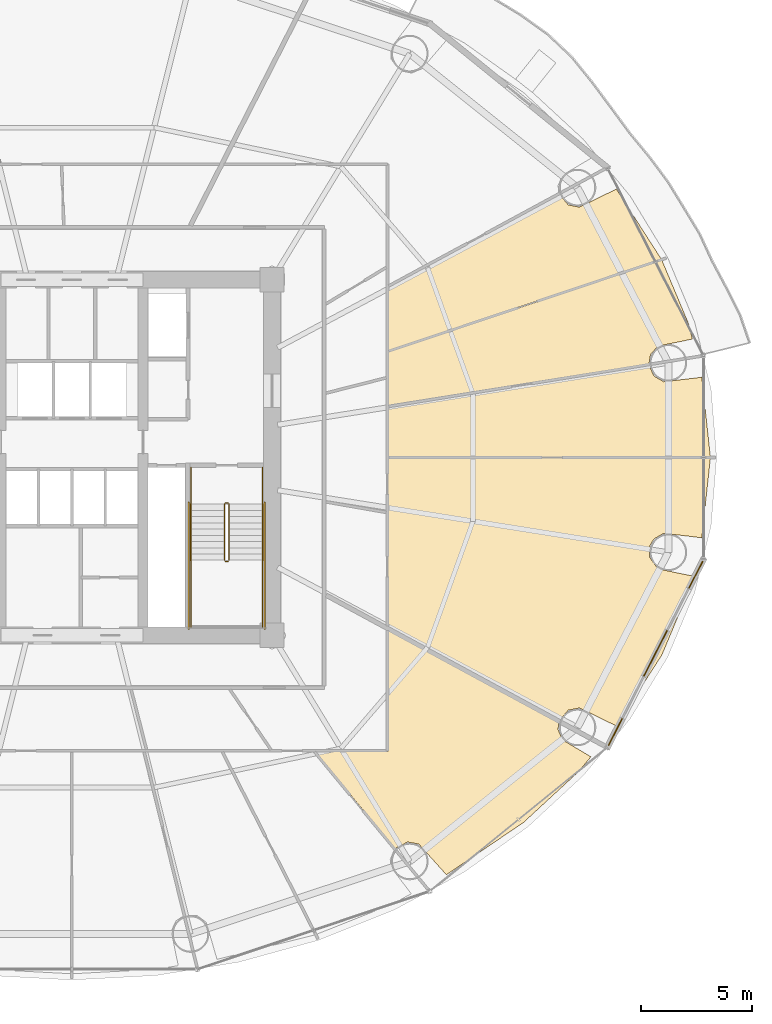
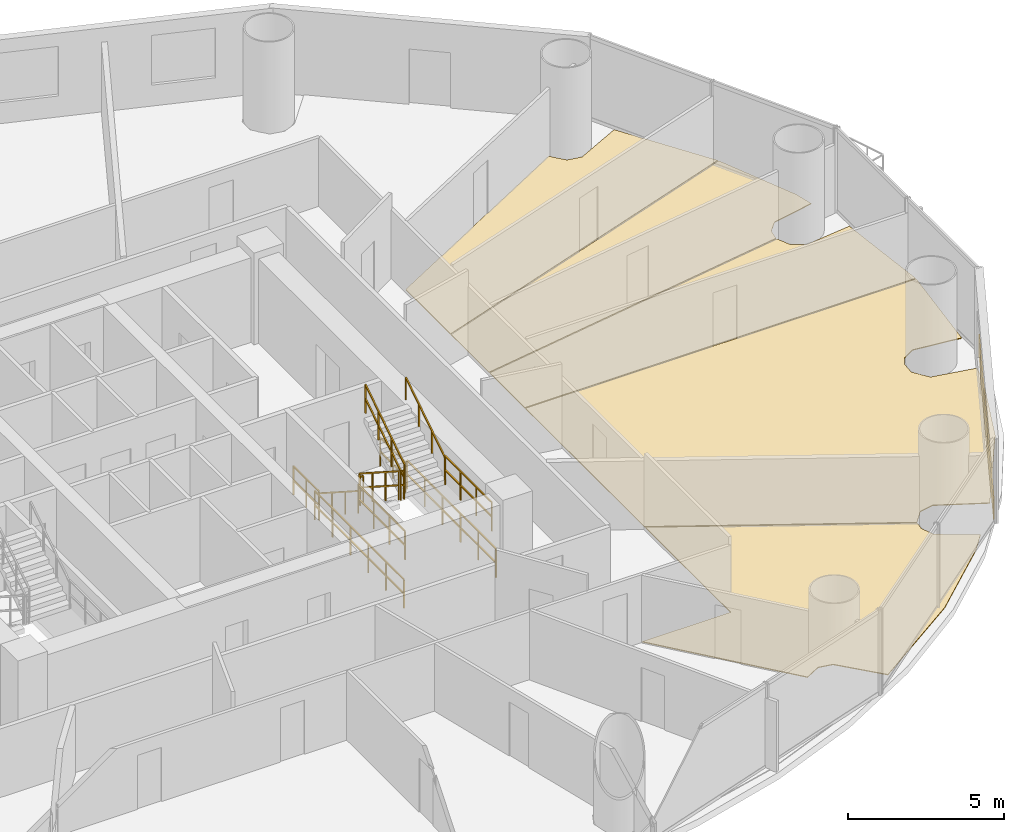
# One storey, part 28 of 29: 12 railings, 6 coverings.
"""IFC4 building model written with IfcOpenShell, lengths in metres."""

from ifc_helpers import new_model, si_unit, direction, frame, origin, origin_2d, place, context, subcontext, project, spatial, polyline, rectangle, outline, extrude, source, transform, mapped, material, layer, layer_set, type_object, element, save


model = new_model("IFC4")

# Units and contexts
model_context = context("Model", 3, precision=1e-05, world=origin(), true_north=direction((-0.2419218956, 0.970295726276)))
body_context = subcontext(model_context, "Body", "Model", "MODEL_VIEW")
ifc_project = project(units=[si_unit("LENGTHUNIT", "METRE"), si_unit("AREAUNIT", "SQUARE_METRE"), si_unit("VOLUMEUNIT", "CUBIC_METRE"), si_unit("PLANEANGLEUNIT", "RADIAN"), si_unit("MASSUNIT", "GRAM", prefix="KILO")], contexts=[model_context])

# Site, building, storey
site_placement = place(None, origin())
site = spatial("IfcSite", under=ifc_project, at=site_placement, CompositionType="ELEMENT")
building_placement = place(site_placement, origin())
building = spatial("IfcBuilding", under=site, at=building_placement, Name="Cobrevalo Terracotta Tower", CompositionType="ELEMENT")
storey_placement = place(building_placement, frame((0.0, 0.0, 49.199951171875)))
storey = spatial("IfcBuildingStorey", under=building, at=storey_placement, Name="L12", CompositionType="ELEMENT", Elevation=49.199951171875)

# Coverings
ifc_material_1 = material(Name="Engineered Brazilian hardwood flooring", Category="wood")
ifc_layer_1 = layer(ifc_material_1, 0.028076171875)
ifc_layer_set_1 = layer_set([ifc_layer_1], Name="Engineered Brazilian hardwood flooring")
covering_type_1 = type_object("IfcCoveringType", Name="Engineered Hardwood Suite Flooring 28", PredefinedType="FLOORING", material=ifc_layer_set_1)
covering_1_placement = place(storey_placement, origin())
element("IfcCovering", 1, at=covering_1_placement, inside=storey, type_object=covering_type_1, Name="Flat L12A Penthouse Living and Dining Room floor finish", PredefinedType="FLOORING", context=body_context, shape_type="SweptSolid", body=[
    extrude(outline(polyline([(62.488037109375, 14.7255859375), (60.826416015625, 15.53662109375), (60.325439453125, 15.436767578125), (59.915283203125, 14.95654296875), (52.215087890625, 19.1259765625), (52.215087890625, 26.780029296875), (66.71826171875, 26.780029296875), (66.331298828125, 23.18896484375), (64.619384765625, 23.39306640625), (64.178466796875, 23.135009765625), (63.9990234375, 22.84228515625), (63.968505859375, 22.332275390625), (64.3642578125, 21.787109375), (65.909423828125, 21.473876953125), (65.74169921875, 20.791259765625), (64.534423828125, 17.91552734375), (62.488037109375, 14.7255859375)])), origin(), (0.0, 0.0, 1.0), 0.030029296875),
])
covering_2_placement = place(storey_placement, origin())
element("IfcCovering", 2, at=covering_2_placement, inside=storey, type_object=covering_type_1, Name="Flat L12A Master Bedroom floor finish", PredefinedType="FLOORING", context=body_context, shape_type="SweptSolid", body=[
    extrude(outline(polyline([(63.952880859375, 30.963134765625), (64.178466796875, 30.465087890625), (64.619384765625, 30.206787109375), (66.331298828125, 30.4111328125), (66.71826171875, 26.820068359375), (52.215087890625, 26.820068359375), (52.215087890625, 29.071044921875), (63.952880859375, 30.963134765625)])), origin(), (0.0, 0.0, 1.0), 0.030029296875),
])
covering_3_placement = place(storey_placement, origin())
element("IfcCovering", 3, at=covering_3_placement, inside=storey, type_object=covering_type_1, Name="Flat L12A Principal Guest Bedroom floor finish", PredefinedType="FLOORING", context=body_context, shape_type="SweptSolid", body=[
    extrude(outline(polyline([(64.531494140625, 35.684326171875), (65.74169921875, 32.80859375), (65.909423828125, 32.126220703125), (64.3642578125, 31.81298828125), (64.025146484375, 31.4306640625), (63.95068359375, 31.003173828125), (52.215087890625, 29.111572265625), (52.215087890625, 31.55029296875), (64.531494140625, 35.684326171875)])), origin(), (0.0, 0.0, 1.0), 0.030029296875),
])
covering_4_placement = place(storey_placement, origin())
element("IfcCovering", 4, at=covering_4_placement, inside=storey, type_object=covering_type_1, Name="Flat L12A Principal Guest Bedroom floor finish", PredefinedType="FLOORING", context=body_context, shape_type="SweptSolid", body=[
    extrude(outline(polyline([(59.915283203125, 38.643310546875), (60.325439453125, 38.163330078125), (60.826416015625, 38.063232421875), (62.488037109375, 38.87451171875), (64.5126953125, 35.72021484375), (52.215087890625, 31.592529296875), (52.215087890625, 34.47412109375), (59.915283203125, 38.643310546875)])), origin(), (0.0, 0.0, 1.0), 0.030029296875),
])
covering_5_placement = place(storey_placement, origin())
element("IfcCovering", 5, at=covering_5_placement, inside=storey, type_object=covering_type_1, Name="Flat L12D Penthouse Family Lounge floor finish", PredefinedType="FLOORING", context=body_context, shape_type="SweptSolid", body=[
    extrude(outline(polyline([(54.843505859375, 8.03271484375), (53.6025390625, 9.412353515625), (53.100341796875, 9.50732421875), (52.531982421875, 9.20751953125), (48.922607421875, 13.5849609375), (52.215087890625, 13.5849609375), (52.215087890625, 19.08056640625), (59.90234375, 14.91796875), (59.864990234375, 14.573974609375), (60.060791015625, 14.10205078125), (61.34423828125, 13.341064453125), (60.786376953125, 12.666259765625), (58.3095703125, 10.38232421875), (54.843505859375, 8.03271484375)])), origin(), (0.0, 0.0, 1.0), 0.030029296875),
])

# Railings
ifc_material_2 = material(Name="Brushed stainless steel", Category="steel")
railing_type_1 = type_object("IfcRailingType", Name="Stainless Steel Stair Handrail 900", PredefinedType="HANDRAIL", material=ifc_material_2)
railing_1_placement = place(storey_placement, frame((43.35498046875, 24.699951171875, 0.179931640625)))
element("IfcRailing", 6, at=railing_1_placement, inside=storey, type_object=railing_type_1, Name="L12 ST-2 stair handrail 1", PredefinedType="HANDRAIL", context=body_context, shape_type="SweptSolid", body=[
    extrude(rectangle(XDim=0.048095703125, YDim=0.048095703125, at=origin_2d()), frame((0.0, 0.0, 0.8759765625), z_axis=(0.0, -0.841162588446, 0.540782303519), x_axis=(1.0, 0.0, 0.0)), (0.0, 0.0, 1.0), 2.995849609375),
    extrude(rectangle(XDim=0.0419921875, YDim=0.0419921875, at=origin_2d()), origin(), (0.0, 0.0, 1.0), 0.851806640625),
    extrude(rectangle(XDim=0.0419921875, YDim=0.0419921875, at=origin_2d()), frame((0.0, -0.840087890625, 0.5400390625)), (0.0, 0.0, 1.0), 0.851806640625),
    extrude(rectangle(XDim=0.0419921875, YDim=0.0419921875, at=origin_2d()), frame((0.0, -1.679931640625, 1.080078125)), (0.0, 0.0, 1.0), 0.851806640625),
    extrude(rectangle(XDim=0.0419921875, YDim=0.0419921875, at=origin_2d()), frame((0.0, -2.52001953125, 1.6201171875)), (0.0, 0.0, 1.0), 0.851806640625),
])
railing_2_placement = place(storey_placement, frame((46.574951171875, 22.179931640625, 1.97998046875)))
element("IfcRailing", 7, at=railing_2_placement, inside=storey, type_object=railing_type_1, Name="L12 ST-2 stair handrail 2", PredefinedType="HANDRAIL", context=body_context, shape_type="SweptSolid", body=[
    extrude(rectangle(XDim=0.048095703125, YDim=0.048095703125, at=origin_2d()), frame((0.0, 0.0, 0.8759765625), z_axis=(0.0, 0.841162588446, 0.540782303519), x_axis=(-1.0, 0.0, 0.0)), (0.0, 0.0, 1.0), 2.995849609375),
    extrude(rectangle(XDim=0.0419921875, YDim=0.0419921875, at=origin_2d()), origin(), (0.0, 0.0, 1.0), 0.851806640625),
    extrude(rectangle(XDim=0.0419921875, YDim=0.0419921875, at=origin_2d()), frame((0.0, 0.840087890625, 0.5400390625)), (0.0, 0.0, 1.0), 0.851806640625),
    extrude(rectangle(XDim=0.0419921875, YDim=0.0419921875, at=origin_2d()), frame((0.0, 1.679931640625, 1.080078125)), (0.0, 0.0, 1.0), 0.851806640625),
    extrude(rectangle(XDim=0.0419921875, YDim=0.0419921875, at=origin_2d()), frame((0.0, 2.52001953125, 1.6201171875)), (0.0, 0.0, 1.0), 0.851806640625),
])
ifc_material_3 = material(Name="Painted galvanized steel", Category="steel")
railing_type_2 = type_object("IfcRailingType", Name="Stair Well Guard Balustrade 1150", PredefinedType="GUARDRAIL", material=ifc_material_3)
railing_3_placement = place(storey_placement, frame((44.85498046875, 24.699951171875, 0.179931640625)))
element("IfcRailing", 8, at=railing_3_placement, inside=storey, type_object=railing_type_2, Name="L12 ST-2 stair guard 1", PredefinedType="GUARDRAIL", context=body_context, shape_type="SweptSolid", body=[
    extrude(rectangle(XDim=0.048095703125, YDim=0.048095703125, at=origin_2d()), frame((0.0, 0.0, 1.1259765625), z_axis=(0.0, -0.841162588446, 0.540782303519), x_axis=(1.0, 0.0, 0.0)), (0.0, 0.0, 1.0), 2.995849609375),
    extrude(rectangle(XDim=0.048095703125, YDim=0.048095703125, at=origin_2d()), frame((0.0, 0.0, 0.574951171875), z_axis=(0.0, -0.841162588446, 0.540782303519), x_axis=(1.0, 0.0, 0.0)), (0.0, 0.0, 1.0), 2.995849609375),
    extrude(rectangle(XDim=0.0419921875, YDim=0.0419921875, at=origin_2d()), origin(), (0.0, 0.0, 1.0), 1.101806640625),
    extrude(rectangle(XDim=0.0419921875, YDim=0.0419921875, at=origin_2d()), frame((0.0, -0.840087890625, 0.5400390625)), (0.0, 0.0, 1.0), 1.101806640625),
    extrude(rectangle(XDim=0.0419921875, YDim=0.0419921875, at=origin_2d()), frame((0.0, -1.679931640625, 1.080078125)), (0.0, 0.0, 1.0), 1.101806640625),
    extrude(rectangle(XDim=0.0419921875, YDim=0.0419921875, at=origin_2d()), frame((0.0, -2.52001953125, 1.6201171875)), (0.0, 0.0, 1.0), 1.101806640625),
])
railing_4_placement = place(storey_placement, frame((44.905029296875, 22.1298828125, 1.800048828125)))
element("IfcRailing", 9, at=railing_4_placement, inside=storey, type_object=railing_type_2, Name="L12 ST-2 stair guard 2", PredefinedType="GUARDRAIL", context=body_context, shape_type="SweptSolid", body=[
    extrude(rectangle(XDim=0.048095703125, YDim=0.048095703125, at=origin_2d()), frame((0.0, 0.0, 1.1259765625), z_axis=(1.0, 0.0, 0.0), x_axis=(0.0, 1.0, 0.0)), (0.0, 0.0, 1.0), 0.119873046875),
    extrude(rectangle(XDim=0.048095703125, YDim=0.048095703125, at=origin_2d()), frame((0.0, 0.0, 0.574951171875), z_axis=(1.0, 0.0, 0.0), x_axis=(0.0, 1.0, 0.0)), (0.0, 0.0, 1.0), 0.119873046875),
    extrude(rectangle(XDim=0.0419921875, YDim=0.0419921875, at=origin_2d()), origin(), (0.0, 0.0, 1.0), 1.101806640625),
    extrude(rectangle(XDim=0.0419921875, YDim=0.0419921875, at=origin_2d()), frame((0.119873046875, 0.0, 0.0)), (0.0, 0.0, 1.0), 1.101806640625),
])
for number, where, name in (
    (10, (43.35498046875, 22.179931640625, 1.800048828125), "L12 ST-2 stair guard 3"),
    (11, (46.574951171875, 22.179931640625, 1.800048828125), "L12 ST-2 stair guard 4"),
):
    element("IfcRailing", number, at=place(storey_placement, frame(where)), inside=storey, type_object=railing_type_2, Name=name, PredefinedType="GUARDRAIL", context=body_context, shape_type="SweptSolid", body=[
        extrude(rectangle(XDim=0.048095703125, YDim=0.048095703125, at=origin_2d()), frame((0.0, 0.0, 1.1259765625), z_axis=(0.0, -1.0, 0.0), x_axis=(1.0, 0.0, 0.0)), (0.0, 0.0, 1.0), 3.0048828125),
        extrude(rectangle(XDim=0.048095703125, YDim=0.048095703125, at=origin_2d()), frame((0.0, 0.0, 0.574951171875), z_axis=(0.0, -1.0, 0.0), x_axis=(1.0, 0.0, 0.0)), (0.0, 0.0, 1.0), 3.0048828125),
        extrude(rectangle(XDim=0.0419921875, YDim=0.0419921875, at=origin_2d()), origin(), (0.0, 0.0, 1.0), 1.101806640625),
        extrude(rectangle(XDim=0.0419921875, YDim=0.0419921875, at=origin_2d()), frame((0.0, -1.001708984375, 0.0)), (0.0, 0.0, 1.0), 1.101806640625),
        extrude(rectangle(XDim=0.0419921875, YDim=0.0419921875, at=origin_2d()), frame((0.0, -2.003173828125, 0.0)), (0.0, 0.0, 1.0), 1.101806640625),
        extrude(rectangle(XDim=0.0419921875, YDim=0.0419921875, at=origin_2d()), frame((0.0, -3.0048828125, 0.0)), (0.0, 0.0, 1.0), 1.101806640625),
    ])
railing_5_placement = place(storey_placement, frame((45.074951171875, 22.179931640625, 1.97998046875)))
element("IfcRailing", 12, at=railing_5_placement, inside=storey, type_object=railing_type_2, Name="L12 ST-2 stair guard 6", PredefinedType="GUARDRAIL", context=body_context, shape_type="SweptSolid", body=[
    extrude(rectangle(XDim=0.048095703125, YDim=0.048095703125, at=origin_2d()), frame((0.0, 0.0, 1.1259765625), z_axis=(0.0, 0.841162588446, 0.540782303519), x_axis=(-1.0, 0.0, 0.0)), (0.0, 0.0, 1.0), 2.995849609375),
    extrude(rectangle(XDim=0.048095703125, YDim=0.048095703125, at=origin_2d()), frame((0.0, 0.0, 0.574951171875), z_axis=(0.0, 0.841162588446, 0.540782303519), x_axis=(-1.0, 0.0, 0.0)), (0.0, 0.0, 1.0), 2.995849609375),
    extrude(rectangle(XDim=0.0419921875, YDim=0.0419921875, at=origin_2d()), origin(), (0.0, 0.0, 1.0), 1.101806640625),
    extrude(rectangle(XDim=0.0419921875, YDim=0.0419921875, at=origin_2d()), frame((0.0, 0.840087890625, 0.5400390625)), (0.0, 0.0, 1.0), 1.101806640625),
    extrude(rectangle(XDim=0.0419921875, YDim=0.0419921875, at=origin_2d()), frame((0.0, 1.679931640625, 1.080078125)), (0.0, 0.0, 1.0), 1.101806640625),
    extrude(rectangle(XDim=0.0419921875, YDim=0.0419921875, at=origin_2d()), frame((0.0, 2.52001953125, 1.6201171875)), (0.0, 0.0, 1.0), 1.101806640625),
])
railing_6_placement = place(storey_placement, frame((44.905029296875, 24.75, 0.0)))
element("IfcRailing", 13, at=railing_6_placement, inside=storey, type_object=railing_type_2, Name="L12 ST-2 stair guard 7", PredefinedType="GUARDRAIL", context=body_context, shape_type="SweptSolid", body=[
    extrude(rectangle(XDim=0.048095703125, YDim=0.048095703125, at=origin_2d()), frame((0.0, 0.0, 1.1259765625), z_axis=(1.0, 0.0, 0.0), x_axis=(0.0, 1.0, 0.0)), (0.0, 0.0, 1.0), 0.119873046875),
    extrude(rectangle(XDim=0.048095703125, YDim=0.048095703125, at=origin_2d()), frame((0.0, 0.0, 0.574951171875), z_axis=(1.0, 0.0, 0.0), x_axis=(0.0, 1.0, 0.0)), (0.0, 0.0, 1.0), 0.119873046875),
    extrude(rectangle(XDim=0.0419921875, YDim=0.0419921875, at=origin_2d()), origin(), (0.0, 0.0, 1.0), 1.101806640625),
    extrude(rectangle(XDim=0.0419921875, YDim=0.0419921875, at=origin_2d()), frame((0.119873046875, 0.0, 0.0)), (0.0, 0.0, 1.0), 1.101806640625),
])
for number, where, name in (
    (14, (43.35498046875, 26.35009765625, 0.0), "L12 ST-2 stair guard 8"),
    (15, (46.574951171875, 26.35009765625, 0.0), "L12 ST-2 stair guard 9"),
):
    element("IfcRailing", number, at=place(storey_placement, frame(where)), inside=storey, type_object=railing_type_2, Name=name, PredefinedType="GUARDRAIL", context=body_context, shape_type="SweptSolid", body=[
        extrude(rectangle(XDim=0.048095703125, YDim=0.048095703125, at=origin_2d()), frame((0.0, 0.0, 1.1259765625), z_axis=(0.0, -1.0, 0.0), x_axis=(1.0, 0.0, 0.0)), (0.0, 0.0, 1.0), 1.650146484375),
        extrude(rectangle(XDim=0.048095703125, YDim=0.048095703125, at=origin_2d()), frame((0.0, 0.0, 0.574951171875), z_axis=(0.0, -1.0, 0.0), x_axis=(1.0, 0.0, 0.0)), (0.0, 0.0, 1.0), 1.650146484375),
        extrude(rectangle(XDim=0.0419921875, YDim=0.0419921875, at=origin_2d()), origin(), (0.0, 0.0, 1.0), 1.101806640625),
        extrude(rectangle(XDim=0.0419921875, YDim=0.0419921875, at=origin_2d()), frame((0.0, -0.8251953125, 0.0)), (0.0, 0.0, 1.0), 1.101806640625),
        extrude(rectangle(XDim=0.0419921875, YDim=0.0419921875, at=origin_2d()), frame((0.0, -1.650146484375, 0.0)), (0.0, 0.0, 1.0), 1.101806640625),
    ])
for number, where, name in (
    (16, (43.2548828125, 24.800048828125, 0.0), "L12 ST-2 stair guard 10"),
    (17, (46.675048828125, 24.800048828125, 0.0), "L12 ST-2 stair guard 11"),
):
    element("IfcRailing", number, at=place(storey_placement, frame(where)), inside=storey, type_object=railing_type_2, Name=name, PredefinedType="GUARDRAIL", context=body_context, shape_type="SweptSolid", body=[
        extrude(rectangle(XDim=0.048095703125, YDim=0.048095703125, at=origin_2d()), frame((0.0, 0.0, 1.1259765625), z_axis=(0.0, -1.0, 0.0), x_axis=(1.0, 0.0, 0.0)), (0.0, 0.0, 1.0), 5.72509765625),
        extrude(rectangle(XDim=0.048095703125, YDim=0.048095703125, at=origin_2d()), frame((0.0, 0.0, 0.574951171875), z_axis=(0.0, -1.0, 0.0), x_axis=(1.0, 0.0, 0.0)), (0.0, 0.0, 1.0), 5.72509765625),
        extrude(rectangle(XDim=0.0419921875, YDim=0.0419921875, at=origin_2d()), origin(), (0.0, 0.0, 1.0), 1.101806640625),
        extrude(rectangle(XDim=0.0419921875, YDim=0.0419921875, at=origin_2d()), frame((0.0, -1.14501953125, 0.0)), (0.0, 0.0, 1.0), 1.101806640625),
        extrude(rectangle(XDim=0.0419921875, YDim=0.0419921875, at=origin_2d()), frame((0.0, -2.2900390625, 0.0)), (0.0, 0.0, 1.0), 1.101806640625),
        extrude(rectangle(XDim=0.0419921875, YDim=0.0419921875, at=origin_2d()), frame((0.0, -3.43505859375, 0.0)), (0.0, 0.0, 1.0), 1.101806640625),
        extrude(rectangle(XDim=0.0419921875, YDim=0.0419921875, at=origin_2d()), frame((0.0, -4.580078125, 0.0)), (0.0, 0.0, 1.0), 1.101806640625),
        extrude(rectangle(XDim=0.0419921875, YDim=0.0419921875, at=origin_2d()), frame((0.0, -5.72509765625, 0.0)), (0.0, 0.0, 1.0), 1.101806640625),
    ])

# Covering
ifc_material_4 = material(Name="Glazed terracotta facade cladding tile", Category="masonry")
ifc_layer_2 = layer(ifc_material_4, 0.044921875)
ifc_layer_set_2 = layer_set([ifc_layer_2], Name="Glazed terracotta facade cladding tile")
covering_type_2 = type_object("IfcCoveringType", Name="Architectural terracotta rainscreen spandrel cladding 45 mm", PredefinedType="CLADDING", material=ifc_layer_set_2)
shared_shape = source(origin(), body_context, "Body", "SweptSolid", [
    extrude(rectangle(XDim=9.30224609375, YDim=0.044921875, at=origin_2d()), origin(), (0.0, 0.0, 1.0), 0.760009765625),
])
covering_6_placement = place(storey_placement, frame((64.25048828125, 17.990966796875, 0.0400390625), z_axis=(0.0, 0.0, 1.0), x_axis=(0.45523102861, 0.890373354605, 0.0)))
element("IfcCovering", 18, at=covering_6_placement, inside=storey, type_object=covering_type_2, Name="L12 terracotta spandrel cladding S15", PredefinedType="CLADDING", context=body_context, shape_type="MappedRepresentation", body=[
    mapped(shared_shape, transform((0.0, 0.0, 0.0), scale=1.0)),
])

save(model, "model.ifc")
